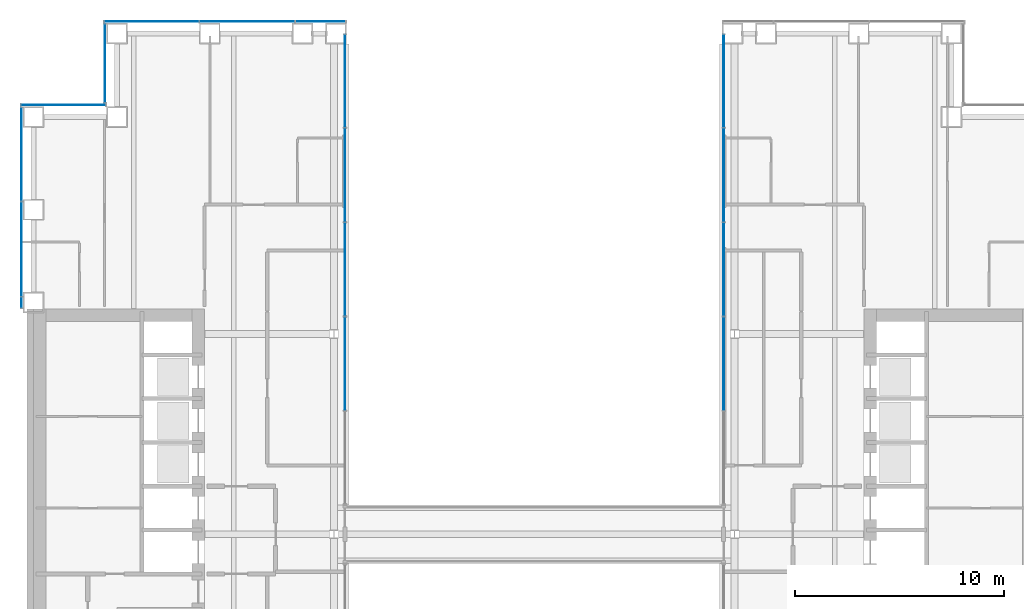
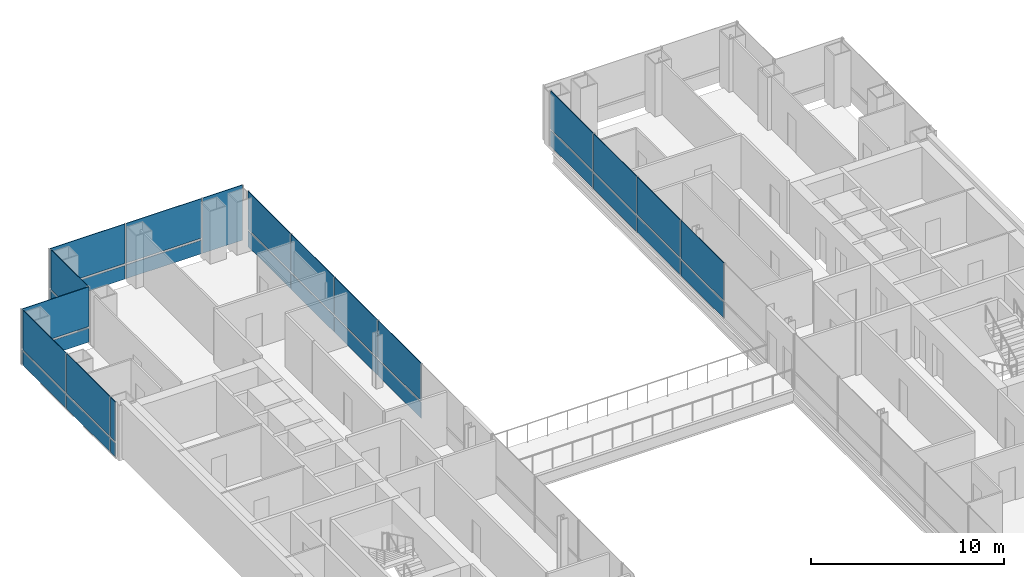
# One storey, part 12 of 19: 31 plates, 6 elements without a shape of their own.
"""IFC4 building model written with IfcOpenShell, lengths in metres."""

from ifc_helpers import new_model, si_unit, direction, frame, origin, origin_2d, place, context, subcontext, project, spatial, rectangle, extrude, material, layer, layer_set, type_object, element, aggregate, save


model = new_model("IFC4")

# Units and contexts
model_context = context("Model", 3, precision=1e-05, world=origin(), true_north=direction((0.0, 1.0)))
body_context = subcontext(model_context, "Body", "Model", "MODEL_VIEW")
ifc_project = project(units=[si_unit("LENGTHUNIT", "METRE"), si_unit("AREAUNIT", "SQUARE_METRE"), si_unit("VOLUMEUNIT", "CUBIC_METRE"), si_unit("PLANEANGLEUNIT", "RADIAN"), si_unit("MASSUNIT", "GRAM", prefix="KILO")], contexts=[model_context])

# Site, building, storey
site_placement = place(None, origin())
site = spatial("IfcSite", under=ifc_project, at=site_placement, CompositionType="ELEMENT")
building_placement = place(site_placement, origin())
building = spatial("IfcBuilding", under=site, at=building_placement, Name="Cobrizo Arcos Hotel Tower", CompositionType="ELEMENT")
storey_placement = place(building_placement, frame((0.0, 0.0, 63.5)))
storey = spatial("IfcBuildingStorey", under=building, at=storey_placement, Name="L14", CompositionType="ELEMENT", Elevation=63.5)

# Curtain wall, plates
ifc_material_1 = material(Name="Aluminium 6063-T6 anodised bronze", Category="aluminium")
curtain_wall_type_1 = type_object("IfcCurtainWallType", Name="CW-A guest facade", PredefinedType="NOTDEFINED", material=ifc_material_1)
curtain_wall_1_placement = place(storey_placement, origin())
curtain_wall_1 = element("IfcCurtainWall", 1, at=curtain_wall_1_placement, inside=storey, type_object=curtain_wall_type_1, Name="CW-A L14 N face", PredefinedType="NOTDEFINED")
ifc_material_2 = material(Name="Glass clear laminated low-e", Category="glass")
ifc_layer_1 = layer(ifc_material_2, 0.0400390625)
ifc_layer_set_1 = layer_set([ifc_layer_1], Name="CW-A glass panel")
plate_type_1 = type_object("IfcPlateType", Name="CW-A glass panel", PredefinedType="CURTAIN_PANEL", material=ifc_layer_set_1)
plate_1_placement = place(storey_placement, frame((-13.7666015625, 24.574951171875, 0.990234375), z_axis=(0.0, 0.0, 1.0), x_axis=(-1.0, 0.0, 0.0)))
plate_1 = element("IfcPlate", 2, at=plate_1_placement, type_object=plate_type_1, Name="CW-A glass panel 641", PredefinedType="CURTAIN_PANEL", context=body_context, shape_type="SweptSolid", body=[
    extrude(rectangle(XDim=4.52880859375, YDim=0.0400390625, at=origin_2d()), origin(), (0.0, 0.0, 1.0), 2.510009765625),
])
plate_2_placement = place(storey_placement, frame((-18.340576171875, 24.574951171875, 0.990234375), z_axis=(0.0, 0.0, 1.0), x_axis=(-1.0, 0.0, 0.0)))
plate_2 = element("IfcPlate", 3, at=plate_2_placement, type_object=plate_type_1, Name="CW-A glass panel 642", PredefinedType="CURTAIN_PANEL", context=body_context, shape_type="SweptSolid", body=[
    extrude(rectangle(XDim=4.498779296875, YDim=0.0400390625, at=origin_2d()), origin(), (0.0, 0.0, 1.0), 2.510009765625),
])

# Curtain wall, plate
curtain_wall_2_placement = place(storey_placement, origin())
curtain_wall_2 = element("IfcCurtainWall", 4, at=curtain_wall_2_placement, inside=storey, type_object=curtain_wall_type_1, Name="CW-A L14 W face", PredefinedType="NOTDEFINED")
plate_3_placement = place(storey_placement, frame((-20.574951171875, 22.574951171875, 0.990234375), z_axis=(0.0, 0.0, 1.0), x_axis=(0.0, -1.0, 0.0)))
plate_3 = element("IfcPlate", 5, at=plate_3_placement, type_object=plate_type_1, Name="CW-A glass panel 643", PredefinedType="CURTAIN_PANEL", context=body_context, shape_type="SweptSolid", body=[
    extrude(rectangle(XDim=3.72998046875, YDim=0.0400390625, at=origin_2d()), origin(), (0.0, 0.0, 1.0), 2.510009765625),
])

curtain_wall_3_placement = place(storey_placement, origin())
curtain_wall_3 = element("IfcCurtainWall", 6, at=curtain_wall_3_placement, inside=storey, type_object=curtain_wall_type_1, Name="CW-A L14 N face", PredefinedType="NOTDEFINED")
plate_4_placement = place(storey_placement, frame((-22.574951171875, 20.574951171875, 0.990234375), z_axis=(0.0, 0.0, 1.0), x_axis=(-1.0, 0.0, 0.0)))
plate_4 = element("IfcPlate", 7, at=plate_4_placement, type_object=plate_type_1, Name="CW-A glass panel 644", PredefinedType="CURTAIN_PANEL", context=body_context, shape_type="SweptSolid", body=[
    extrude(rectangle(XDim=4.030029296875, YDim=0.0400390625, at=origin_2d()), origin(), (0.0, 0.0, 1.0), 2.510009765625),
])

# Curtain wall, plates
curtain_wall_4_placement = place(storey_placement, origin())
curtain_wall_4 = element("IfcCurtainWall", 8, at=curtain_wall_4_placement, inside=storey, type_object=curtain_wall_type_1, Name="CW-A L14 W face", PredefinedType="NOTDEFINED")
plate_5_placement = place(storey_placement, frame((-24.574951171875, 18.207275390625, 0.990234375), z_axis=(0.0, 0.0, 1.0), x_axis=(0.0, -1.0, 0.0)))
plate_5 = element("IfcPlate", 9, at=plate_5_placement, type_object=plate_type_1, Name="CW-A glass panel 645", PredefinedType="CURTAIN_PANEL", context=body_context, shape_type="SweptSolid", body=[
    extrude(rectangle(XDim=4.465576171875, YDim=0.0400390625, at=origin_2d()), origin(), (0.0, 0.0, 1.0), 2.510009765625),
])
plate_6_placement = place(storey_placement, frame((-24.574951171875, 13.666748046875, 0.990234375), z_axis=(0.0, 0.0, 1.0), x_axis=(0.0, -1.0, 0.0)))
plate_6 = element("IfcPlate", 10, at=plate_6_placement, type_object=plate_type_1, Name="CW-A glass panel 646", PredefinedType="CURTAIN_PANEL", context=body_context, shape_type="SweptSolid", body=[
    extrude(rectangle(XDim=4.49560546875, YDim=0.0400390625, at=origin_2d()), origin(), (0.0, 0.0, 1.0), 2.510009765625),
])
plate_7_placement = place(storey_placement, frame((-24.574951171875, 11.109375, 0.990234375), z_axis=(0.0, 0.0, 1.0), x_axis=(0.0, -1.0, 0.0)))
plate_7 = element("IfcPlate", 11, at=plate_7_placement, type_object=plate_type_1, Name="CW-A glass panel 647", PredefinedType="CURTAIN_PANEL", context=body_context, shape_type="SweptSolid", body=[
    extrude(rectangle(XDim=0.498779296875, YDim=0.0400390625, at=origin_2d()), origin(), (0.0, 0.0, 1.0), 2.510009765625),
])

# Plate
ifc_material_3 = material(Name="Aluminium composite panel pale metal", Category="aluminium")
ifc_layer_2 = layer(ifc_material_3, 0.0400390625)
ifc_layer_set_2 = layer_set([ifc_layer_2], Name="CW-A spandrel panel")
plate_type_2 = type_object("IfcPlateType", Name="CW-A spandrel panel", PredefinedType="CURTAIN_PANEL", material=ifc_layer_set_2)
plate_8_placement = place(storey_placement, frame((-10.251220703125, 24.574951171875, 0.0), z_axis=(0.0, 0.0, 1.0), x_axis=(-1.0, 0.0, 0.0)))
plate_8 = element("IfcPlate", 12, at=plate_8_placement, type_object=plate_type_2, Name="CW-A spandrel panel 640", PredefinedType="CURTAIN_PANEL", context=body_context, shape_type="SweptSolid", body=[
    extrude(rectangle(XDim=2.38232421875, YDim=0.0400390625, at=origin_2d()), origin(), (0.0, 0.0, 1.0), 3.5),
])

plate_9_placement = place(storey_placement, frame((-13.7666015625, 24.574951171875, 0.0), z_axis=(0.0, 0.0, 1.0), x_axis=(-1.0, 0.0, 0.0)))
plate_9 = element("IfcPlate", 13, at=plate_9_placement, type_object=plate_type_2, Name="CW-A spandrel panel 641", PredefinedType="CURTAIN_PANEL", context=body_context, shape_type="SweptSolid", body=[
    extrude(rectangle(XDim=4.52880859375, YDim=0.0400390625, at=origin_2d()), origin(), (0.0, 0.0, 1.0), 0.8701171875),
])

plate_10_placement = place(storey_placement, frame((-18.340576171875, 24.574951171875, 0.0), z_axis=(0.0, 0.0, 1.0), x_axis=(-1.0, 0.0, 0.0)))
plate_10 = element("IfcPlate", 14, at=plate_10_placement, type_object=plate_type_2, Name="CW-A spandrel panel 642", PredefinedType="CURTAIN_PANEL", context=body_context, shape_type="SweptSolid", body=[
    extrude(rectangle(XDim=4.498779296875, YDim=0.0400390625, at=origin_2d()), origin(), (0.0, 0.0, 1.0), 0.8701171875),
])

aggregate(curtain_wall_1, [plate_8, plate_9, plate_1, plate_10, plate_2])

plate_11_placement = place(storey_placement, frame((-20.574951171875, 22.574951171875, 0.0), z_axis=(0.0, 0.0, 1.0), x_axis=(0.0, -1.0, 0.0)))
plate_11 = element("IfcPlate", 15, at=plate_11_placement, type_object=plate_type_2, Name="CW-A spandrel panel 643", PredefinedType="CURTAIN_PANEL", context=body_context, shape_type="SweptSolid", body=[
    extrude(rectangle(XDim=3.72998046875, YDim=0.0400390625, at=origin_2d()), origin(), (0.0, 0.0, 1.0), 0.8701171875),
])

aggregate(curtain_wall_2, [plate_11, plate_3])

plate_12_placement = place(storey_placement, frame((-22.574951171875, 20.574951171875, 0.0), z_axis=(0.0, 0.0, 1.0), x_axis=(-1.0, 0.0, 0.0)))
plate_12 = element("IfcPlate", 16, at=plate_12_placement, type_object=plate_type_2, Name="CW-A spandrel panel 644", PredefinedType="CURTAIN_PANEL", context=body_context, shape_type="SweptSolid", body=[
    extrude(rectangle(XDim=4.030029296875, YDim=0.0400390625, at=origin_2d()), origin(), (0.0, 0.0, 1.0), 0.8701171875),
])

aggregate(curtain_wall_3, [plate_12, plate_4])

plate_13_placement = place(storey_placement, frame((-24.574951171875, 18.207275390625, 0.0), z_axis=(0.0, 0.0, 1.0), x_axis=(0.0, -1.0, 0.0)))
plate_13 = element("IfcPlate", 17, at=plate_13_placement, type_object=plate_type_2, Name="CW-A spandrel panel 645", PredefinedType="CURTAIN_PANEL", context=body_context, shape_type="SweptSolid", body=[
    extrude(rectangle(XDim=4.465576171875, YDim=0.0400390625, at=origin_2d()), origin(), (0.0, 0.0, 1.0), 0.8701171875),
])

plate_14_placement = place(storey_placement, frame((-24.574951171875, 13.666748046875, 0.0), z_axis=(0.0, 0.0, 1.0), x_axis=(0.0, -1.0, 0.0)))
plate_14 = element("IfcPlate", 18, at=plate_14_placement, type_object=plate_type_2, Name="CW-A spandrel panel 646", PredefinedType="CURTAIN_PANEL", context=body_context, shape_type="SweptSolid", body=[
    extrude(rectangle(XDim=4.49560546875, YDim=0.0400390625, at=origin_2d()), origin(), (0.0, 0.0, 1.0), 0.8701171875),
])

plate_15_placement = place(storey_placement, frame((-24.574951171875, 11.109375, 0.0), z_axis=(0.0, 0.0, 1.0), x_axis=(0.0, -1.0, 0.0)))
plate_15 = element("IfcPlate", 19, at=plate_15_placement, type_object=plate_type_2, Name="CW-A spandrel panel 647", PredefinedType="CURTAIN_PANEL", context=body_context, shape_type="SweptSolid", body=[
    extrude(rectangle(XDim=0.498779296875, YDim=0.0400390625, at=origin_2d()), origin(), (0.0, 0.0, 1.0), 0.8701171875),
])

aggregate(curtain_wall_4, [plate_13, plate_5, plate_14, plate_6, plate_15, plate_7])

# Curtain wall, plates
curtain_wall_type_2 = type_object("IfcCurtainWallType", Name="CW-F void screen", PredefinedType="NOTDEFINED", material=ifc_material_1)
curtain_wall_5_placement = place(storey_placement, origin())
curtain_wall_5 = element("IfcCurtainWall", 20, at=curtain_wall_5_placement, inside=storey, type_object=curtain_wall_type_2, Name="CW-F L14 void screen A", PredefinedType="NOTDEFINED")
ifc_layer_3 = layer(ifc_material_2, 0.0400390625)
ifc_layer_set_3 = layer_set([ifc_layer_3], Name="CW-F glass panel")
plate_type_3 = type_object("IfcPlateType", Name="CW-F glass panel", PredefinedType="CURTAIN_PANEL", material=ifc_layer_set_3)
plate_16_placement = place(storey_placement, frame((9.074951171875, 8.179931640625, 0.0), z_axis=(0.0, 0.0, 1.0), x_axis=(0.0, 1.0, 0.0)))
plate_16 = element("IfcPlate", 21, at=plate_16_placement, type_object=plate_type_3, Name="CW-F glass panel 2454", PredefinedType="CURTAIN_PANEL", context=body_context, shape_type="SweptSolid", body=[
    extrude(rectangle(XDim=4.4599609375, YDim=0.0400390625, at=origin_2d()), origin(), (0.0, 0.0, 1.0), 0.989990234375),
])
plate_17_placement = place(storey_placement, frame((9.074951171875, 8.179931640625, 1.10986328125), z_axis=(0.0, 0.0, 1.0), x_axis=(0.0, 1.0, 0.0)))
plate_17 = element("IfcPlate", 22, at=plate_17_placement, type_object=plate_type_3, Name="CW-F glass panel 2454", PredefinedType="CURTAIN_PANEL", context=body_context, shape_type="SweptSolid", body=[
    extrude(rectangle(XDim=4.4599609375, YDim=0.0400390625, at=origin_2d()), origin(), (0.0, 0.0, 1.0), 2.389892578125),
])
plate_18_placement = place(storey_placement, frame((9.074951171875, 12.699951171875, 0.0), z_axis=(0.0, 0.0, 1.0), x_axis=(0.0, 1.0, 0.0)))
plate_18 = element("IfcPlate", 23, at=plate_18_placement, type_object=plate_type_3, Name="CW-F glass panel 2455", PredefinedType="CURTAIN_PANEL", context=body_context, shape_type="SweptSolid", body=[
    extrude(rectangle(XDim=4.4599609375, YDim=0.0400390625, at=origin_2d()), origin(), (0.0, 0.0, 1.0), 0.989990234375),
])
plate_19_placement = place(storey_placement, frame((9.074951171875, 12.699951171875, 1.10986328125), z_axis=(0.0, 0.0, 1.0), x_axis=(0.0, 1.0, 0.0)))
plate_19 = element("IfcPlate", 24, at=plate_19_placement, type_object=plate_type_3, Name="CW-F glass panel 2455", PredefinedType="CURTAIN_PANEL", context=body_context, shape_type="SweptSolid", body=[
    extrude(rectangle(XDim=4.4599609375, YDim=0.0400390625, at=origin_2d()), origin(), (0.0, 0.0, 1.0), 2.389892578125),
])
plate_20_placement = place(storey_placement, frame((9.074951171875, 17.219970703125, 0.0), z_axis=(0.0, 0.0, 1.0), x_axis=(0.0, 1.0, 0.0)))
plate_20 = element("IfcPlate", 25, at=plate_20_placement, type_object=plate_type_3, Name="CW-F glass panel 2456", PredefinedType="CURTAIN_PANEL", context=body_context, shape_type="SweptSolid", body=[
    extrude(rectangle(XDim=4.4599609375, YDim=0.0400390625, at=origin_2d()), origin(), (0.0, 0.0, 1.0), 0.989990234375),
])
plate_21_placement = place(storey_placement, frame((9.074951171875, 17.219970703125, 1.10986328125), z_axis=(0.0, 0.0, 1.0), x_axis=(0.0, 1.0, 0.0)))
plate_21 = element("IfcPlate", 26, at=plate_21_placement, type_object=plate_type_3, Name="CW-F glass panel 2456", PredefinedType="CURTAIN_PANEL", context=body_context, shape_type="SweptSolid", body=[
    extrude(rectangle(XDim=4.4599609375, YDim=0.0400390625, at=origin_2d()), origin(), (0.0, 0.0, 1.0), 2.389892578125),
])
plate_22_placement = place(storey_placement, frame((9.074951171875, 21.72509765625, 0.0), z_axis=(0.0, 0.0, 1.0), x_axis=(0.0, 1.0, 0.0)))
plate_22 = element("IfcPlate", 27, at=plate_22_placement, type_object=plate_type_3, Name="CW-F glass panel 2457", PredefinedType="CURTAIN_PANEL", context=body_context, shape_type="SweptSolid", body=[
    extrude(rectangle(XDim=4.429931640625, YDim=0.0400390625, at=origin_2d()), origin(), (0.0, 0.0, 1.0), 0.989990234375),
])
plate_23_placement = place(storey_placement, frame((9.074951171875, 21.72509765625, 1.10986328125), z_axis=(0.0, 0.0, 1.0), x_axis=(0.0, 1.0, 0.0)))
plate_23 = element("IfcPlate", 28, at=plate_23_placement, type_object=plate_type_3, Name="CW-F glass panel 2457", PredefinedType="CURTAIN_PANEL", context=body_context, shape_type="SweptSolid", body=[
    extrude(rectangle(XDim=4.429931640625, YDim=0.0400390625, at=origin_2d()), origin(), (0.0, 0.0, 1.0), 2.389892578125),
])
aggregate(curtain_wall_5, [plate_16, plate_17, plate_18, plate_19, plate_20, plate_21, plate_22, plate_23])

curtain_wall_6_placement = place(storey_placement, origin())
curtain_wall_6 = element("IfcCurtainWall", 29, at=curtain_wall_6_placement, inside=storey, type_object=curtain_wall_type_2, Name="CW-F L14 void screen A", PredefinedType="NOTDEFINED")
plate_24_placement = place(storey_placement, frame((-9.074951171875, 21.72509765625, 0.0), z_axis=(0.0, 0.0, 1.0), x_axis=(0.0, -1.0, 0.0)))
plate_24 = element("IfcPlate", 30, at=plate_24_placement, type_object=plate_type_3, Name="CW-F glass panel 2458", PredefinedType="CURTAIN_PANEL", context=body_context, shape_type="SweptSolid", body=[
    extrude(rectangle(XDim=4.429931640625, YDim=0.0400390625, at=origin_2d()), origin(), (0.0, 0.0, 1.0), 0.989990234375),
])
plate_25_placement = place(storey_placement, frame((-9.074951171875, 21.72509765625, 1.10986328125), z_axis=(0.0, 0.0, 1.0), x_axis=(0.0, -1.0, 0.0)))
plate_25 = element("IfcPlate", 31, at=plate_25_placement, type_object=plate_type_3, Name="CW-F glass panel 2458", PredefinedType="CURTAIN_PANEL", context=body_context, shape_type="SweptSolid", body=[
    extrude(rectangle(XDim=4.429931640625, YDim=0.0400390625, at=origin_2d()), origin(), (0.0, 0.0, 1.0), 2.389892578125),
])
plate_26_placement = place(storey_placement, frame((-9.074951171875, 17.219970703125, 0.0), z_axis=(0.0, 0.0, 1.0), x_axis=(0.0, -1.0, 0.0)))
plate_26 = element("IfcPlate", 32, at=plate_26_placement, type_object=plate_type_3, Name="CW-F glass panel 2459", PredefinedType="CURTAIN_PANEL", context=body_context, shape_type="SweptSolid", body=[
    extrude(rectangle(XDim=4.4599609375, YDim=0.0400390625, at=origin_2d()), origin(), (0.0, 0.0, 1.0), 0.989990234375),
])
plate_27_placement = place(storey_placement, frame((-9.074951171875, 17.219970703125, 1.10986328125), z_axis=(0.0, 0.0, 1.0), x_axis=(0.0, -1.0, 0.0)))
plate_27 = element("IfcPlate", 33, at=plate_27_placement, type_object=plate_type_3, Name="CW-F glass panel 2459", PredefinedType="CURTAIN_PANEL", context=body_context, shape_type="SweptSolid", body=[
    extrude(rectangle(XDim=4.4599609375, YDim=0.0400390625, at=origin_2d()), origin(), (0.0, 0.0, 1.0), 2.389892578125),
])
plate_28_placement = place(storey_placement, frame((-9.074951171875, 12.699951171875, 0.0), z_axis=(0.0, 0.0, 1.0), x_axis=(0.0, -1.0, 0.0)))
plate_28 = element("IfcPlate", 34, at=plate_28_placement, type_object=plate_type_3, Name="CW-F glass panel 2460", PredefinedType="CURTAIN_PANEL", context=body_context, shape_type="SweptSolid", body=[
    extrude(rectangle(XDim=4.4599609375, YDim=0.0400390625, at=origin_2d()), origin(), (0.0, 0.0, 1.0), 0.989990234375),
])
plate_29_placement = place(storey_placement, frame((-9.074951171875, 12.699951171875, 1.10986328125), z_axis=(0.0, 0.0, 1.0), x_axis=(0.0, -1.0, 0.0)))
plate_29 = element("IfcPlate", 35, at=plate_29_placement, type_object=plate_type_3, Name="CW-F glass panel 2460", PredefinedType="CURTAIN_PANEL", context=body_context, shape_type="SweptSolid", body=[
    extrude(rectangle(XDim=4.4599609375, YDim=0.0400390625, at=origin_2d()), origin(), (0.0, 0.0, 1.0), 2.389892578125),
])
plate_30_placement = place(storey_placement, frame((-9.074951171875, 8.179931640625, 0.0), z_axis=(0.0, 0.0, 1.0), x_axis=(0.0, -1.0, 0.0)))
plate_30 = element("IfcPlate", 36, at=plate_30_placement, type_object=plate_type_3, Name="CW-F glass panel 2461", PredefinedType="CURTAIN_PANEL", context=body_context, shape_type="SweptSolid", body=[
    extrude(rectangle(XDim=4.4599609375, YDim=0.0400390625, at=origin_2d()), origin(), (0.0, 0.0, 1.0), 0.989990234375),
])
plate_31_placement = place(storey_placement, frame((-9.074951171875, 8.179931640625, 1.10986328125), z_axis=(0.0, 0.0, 1.0), x_axis=(0.0, -1.0, 0.0)))
plate_31 = element("IfcPlate", 37, at=plate_31_placement, type_object=plate_type_3, Name="CW-F glass panel 2461", PredefinedType="CURTAIN_PANEL", context=body_context, shape_type="SweptSolid", body=[
    extrude(rectangle(XDim=4.4599609375, YDim=0.0400390625, at=origin_2d()), origin(), (0.0, 0.0, 1.0), 2.389892578125),
])
aggregate(curtain_wall_6, [plate_24, plate_25, plate_26, plate_27, plate_28, plate_29, plate_30, plate_31])

save(model, "model.ifc")
